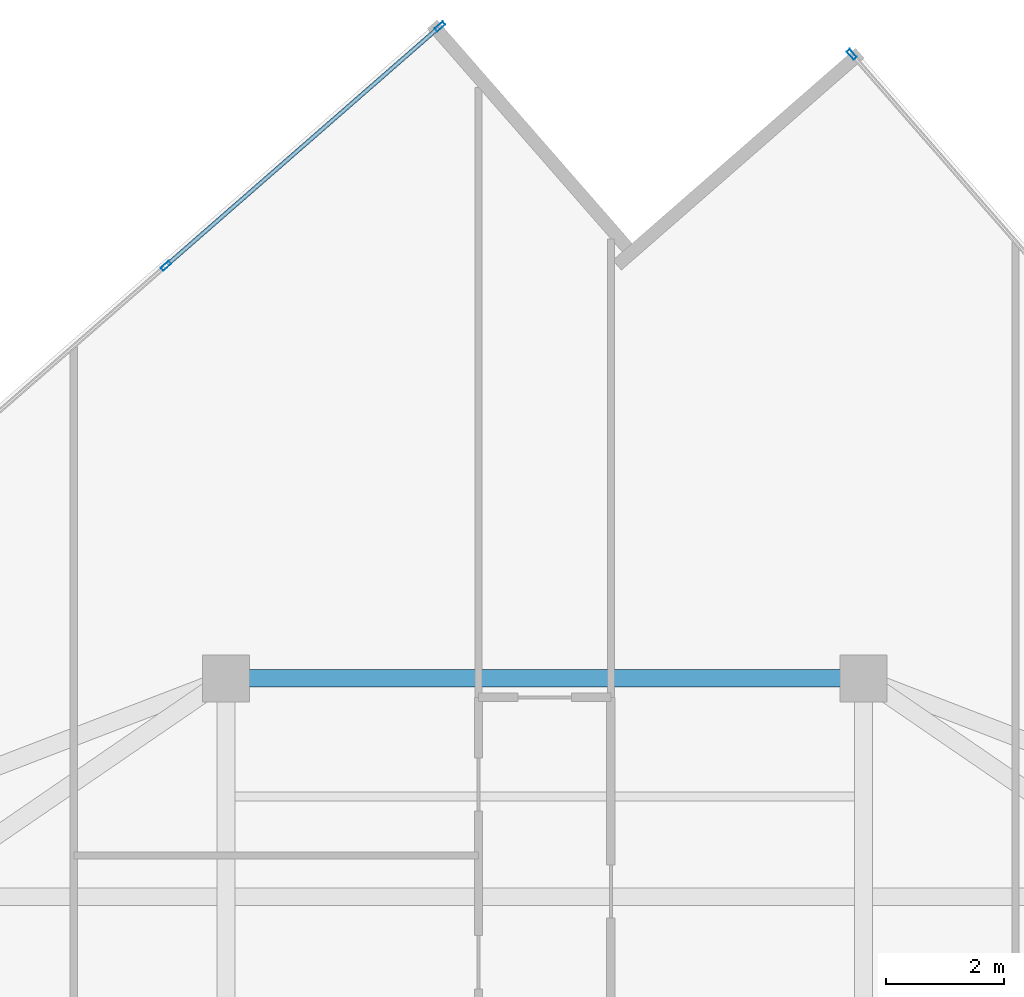
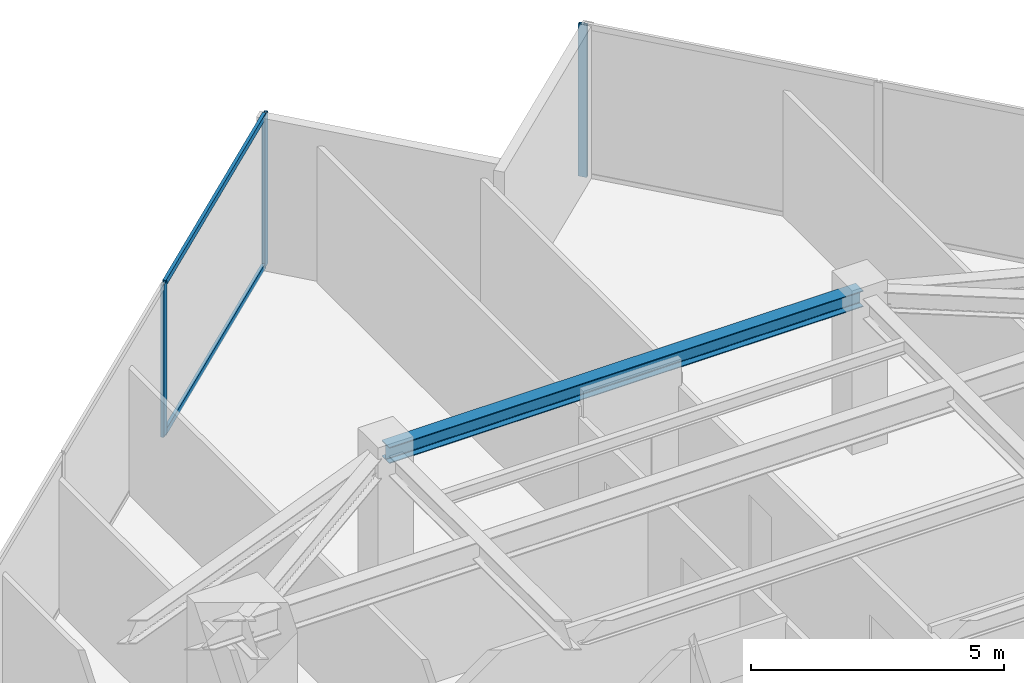
# One storey, part 16 of 24: 5 members, 1 beam, 2 elements without a shape of their own.
"""IFC4 building model written with IfcOpenShell, lengths in metres."""

from ifc_helpers import new_model, si_unit, direction, frame, origin, origin_2d, place, context, subcontext, project, spatial, hollow_rectangle, i_section, extrude, source, transform, mapped, material, material_profile, profile_set, type_object, type_shapes, element, aggregate, save


model = new_model("IFC4")

# Units and contexts
model_context = context("Model", 3, precision=1e-05, world=origin(), true_north=direction((0.0, 1.0)))
body_context = subcontext(model_context, "Body", "Model", "MODEL_VIEW")
ifc_project = project(units=[si_unit("LENGTHUNIT", "METRE"), si_unit("AREAUNIT", "SQUARE_METRE"), si_unit("VOLUMEUNIT", "CUBIC_METRE"), si_unit("PLANEANGLEUNIT", "RADIAN"), si_unit("MASSUNIT", "GRAM", prefix="KILO")], contexts=[model_context])

# Site, building, storey
site_placement = place(None, origin())
site = spatial("IfcSite", under=ifc_project, at=site_placement, CompositionType="ELEMENT")
building_placement = place(site_placement, origin())
building = spatial("IfcBuilding", under=site, at=building_placement, Name="Krantzveldt Concourse Tower", CompositionType="ELEMENT")
storey_placement = place(building_placement, frame((0.0, 0.0, 250.75)))
storey = spatial("IfcBuildingStorey", under=building, at=storey_placement, Name="L61", CompositionType="ELEMENT", Elevation=250.75)

# Beam
ifc_material_1 = material(Name="Steel S355JR", Category="steel")
ifc_material_profile_1 = material_profile(ifc_material_1, i_section(OverallWidth=0.300048828125, OverallDepth=0.389892578125, WebThickness=0.010986328125, FlangeThickness=0.01904296875, FilletRadius=0.027099609375, at=origin_2d()), Name="Steel S355JR", Category="steel")
ifc_profile_set_1 = profile_set([ifc_material_profile_1], Name="Steel S355JR - HEA 400")
beam_type = type_object("IfcBeamType", Name="BM-SP-HEA400", PredefinedType="SPANDREL", material=ifc_profile_set_1)
shared_shape_1 = source(origin(), body_context, "Body", "SweptSolid", [
    extrude(i_section(OverallWidth=0.300048828125, OverallDepth=0.389892578125, WebThickness=0.010986328125, FlangeThickness=0.01904296875, FilletRadius=0.027099609375, at=origin_2d()), origin(), (0.0, 0.0, 1.0), 10.7998046875),
])
type_shapes(beam_type, [shared_shape_1])
beam_placement = place(storey_placement, frame((30.60009765625, 41.199951171875, 3.47509765625), z_axis=(1.0, 0.0, 0.0), x_axis=(0.0, 1.0, 0.0)))
element("IfcBeam", 1, at=beam_placement, inside=storey, type_object=beam_type, Name="L61 Tower Girder SP-R04", PredefinedType="SPANDREL", context=body_context, shape_type="MappedRepresentation", body=[
    mapped(shared_shape_1, transform((0.0, 0.0, 0.0), x_axis=(1.0, 0.0, 0.0), y_axis=(0.0, 1.0, 0.0), z_axis=(0.0, 0.0, 1.0), scale=1.0)),
])

# Curtain wall, members
ifc_material_2 = material(Name="Anodised aluminium 6063-T6", Category="aluminium")
curtain_wall_type = type_object("IfcCurtainWallType", Name="CW3", PredefinedType="USERDEFINED", material=ifc_material_2)
curtain_wall_1_placement = place(storey_placement, origin())
curtain_wall_1 = element("IfcCurtainWall", 2, at=curtain_wall_1_placement, inside=storey, type_object=curtain_wall_type, Name="CW-L61-F01", ObjectType="UNITISED CURTAIN WALL", PredefinedType="USERDEFINED")
ifc_material_profile_2 = material_profile(ifc_material_2, hollow_rectangle(XDim=0.070068359375, YDim=0.179931640625, WallThickness=0.0048828125, at=origin_2d()), Name="Anodised aluminium 6063-T6", Category="aluminium")
ifc_profile_set_2 = profile_set([ifc_material_profile_2], Name="Anodised aluminium 6063-T6 - ALU-MULL 180x70x5")
member_type_1 = type_object("IfcMemberType", Name="CW-MUL-180", PredefinedType="MULLION", material=ifc_profile_set_2)
shared_shape_2 = source(origin(), body_context, "Body", "SweptSolid", [
    extrude(hollow_rectangle(XDim=0.070068359375, YDim=0.179931640625, WallThickness=0.0048828125, at=origin_2d()), origin(), (0.0, 0.0, 1.0), 3.669921875),
])
type_shapes(member_type_1, [shared_shape_2])
member_1_placement = place(storey_placement, frame((34.2255859375, 52.245849609375, 0.0), z_axis=(0.0, 0.0, 1.0), x_axis=(0.657703938567, -0.753276529034, 0.0)))
member_1 = element("IfcMember", 3, at=member_1_placement, type_object=member_type_1, Name="CW-Z34 mullion 1", PredefinedType="MULLION", context=body_context, shape_type="MappedRepresentation", body=[
    mapped(shared_shape_2, transform((0.0, 0.0, 0.0), x_axis=(1.0, 0.0, 0.0), y_axis=(0.0, 1.0, 0.0), z_axis=(0.0, 0.0, 1.0), scale=1.0)),
])
member_2_placement = place(storey_placement, frame((29.581787109375, 48.19091796875, 0.0), z_axis=(0.0, 0.0, 1.0), x_axis=(0.657703938567, -0.753276529034, 0.0)))
member_2 = element("IfcMember", 4, at=member_2_placement, type_object=member_type_1, Name="CW-Z34 mullion 2", PredefinedType="MULLION", context=body_context, shape_type="MappedRepresentation", body=[
    mapped(shared_shape_2, transform((0.0, 0.0, 0.0), x_axis=(1.0, 0.0, 0.0), y_axis=(0.0, 1.0, 0.0), z_axis=(0.0, 0.0, 1.0), scale=1.0)),
])

# Curtain wall, member
curtain_wall_2_placement = place(storey_placement, origin())
curtain_wall_2 = element("IfcCurtainWall", 5, at=curtain_wall_2_placement, inside=storey, type_object=curtain_wall_type, Name="CW-L61-F10", ObjectType="UNITISED CURTAIN WALL", PredefinedType="USERDEFINED")
member_3_placement = place(storey_placement, frame((41.202880859375, 51.773193359375, 0.0), z_axis=(0.0, 0.0, 1.0), x_axis=(-0.753276529034, -0.657703938567, 0.0)))
member_3 = element("IfcMember", 6, at=member_3_placement, type_object=member_type_1, Name="CW-Z34 mullion 6", PredefinedType="MULLION", context=body_context, shape_type="MappedRepresentation", body=[
    mapped(shared_shape_2, transform((0.0, 0.0, 0.0), x_axis=(1.0, 0.0, 0.0), y_axis=(0.0, 1.0, 0.0), z_axis=(0.0, 0.0, 1.0), scale=1.0)),
])
aggregate(curtain_wall_2, [member_3])

# Member
ifc_material_profile_3 = material_profile(ifc_material_2, hollow_rectangle(XDim=0.070068359375, YDim=0.139892578125, WallThickness=0.0048828125, at=origin_2d()), Name="Anodised aluminium 6063-T6", Category="aluminium")
ifc_profile_set_3 = profile_set([ifc_material_profile_3], Name="Anodised aluminium 6063-T6 - ALU-TRAN 140x70x5")
member_type_2 = type_object("IfcMemberType", Name="CW-TRN-150", PredefinedType="USERDEFINED", material=ifc_profile_set_3)
shared_shape_3 = source(origin(), body_context, "Body", "SweptSolid", [
    extrude(hollow_rectangle(XDim=0.070068359375, YDim=0.139892578125, WallThickness=0.0048828125, at=origin_2d()), origin(), (0.0, 0.0, 1.0), 6.0947265625),
])
type_shapes(member_type_2, [shared_shape_3])
member_4_placement = place(storey_placement, frame((34.19921875, 52.22265625, 0.034912109375), z_axis=(-0.753278511151, -0.657701668417, 0.0), x_axis=(0.657701668417, -0.753278511151, 0.0)))
member_4 = element("IfcMember", 7, at=member_4_placement, type_object=member_type_2, Name="CW-Z34 transom 1.1", ObjectType="TRANSOM", PredefinedType="USERDEFINED", context=body_context, shape_type="MappedRepresentation", body=[
    mapped(shared_shape_3, transform((0.0, 0.0, 0.0), x_axis=(1.0, 0.0, 0.0), y_axis=(0.0, 1.0, 0.0), z_axis=(0.0, 0.0, 1.0), scale=1.0)),
])

member_5_placement = place(storey_placement, frame((34.19921875, 52.22265625, 3.635009765625), z_axis=(-0.753278511151, -0.657701668417, 0.0), x_axis=(0.657701668417, -0.753278511151, 0.0)))
member_5 = element("IfcMember", 8, at=member_5_placement, type_object=member_type_2, Name="CW-Z34 transom 1.2", ObjectType="TRANSOM", PredefinedType="USERDEFINED", context=body_context, shape_type="MappedRepresentation", body=[
    mapped(shared_shape_3, transform((0.0, 0.0, 0.0), x_axis=(1.0, 0.0, 0.0), y_axis=(0.0, 1.0, 0.0), z_axis=(0.0, 0.0, 1.0), scale=1.0)),
])

aggregate(curtain_wall_1, [member_1, member_2, member_4, member_5])

save(model, "model.ifc")
